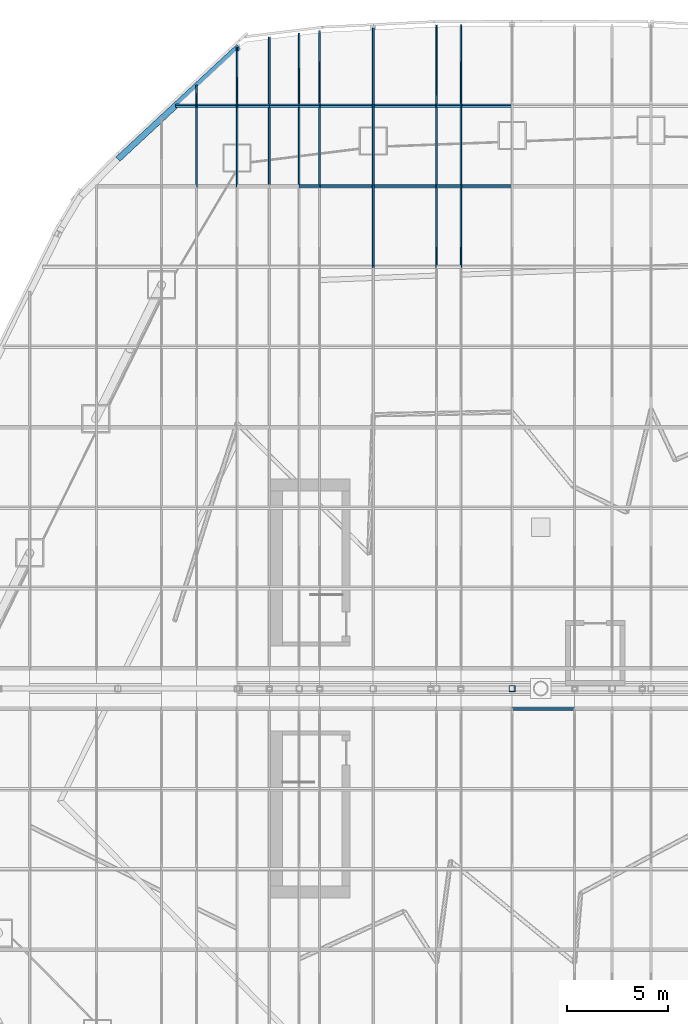
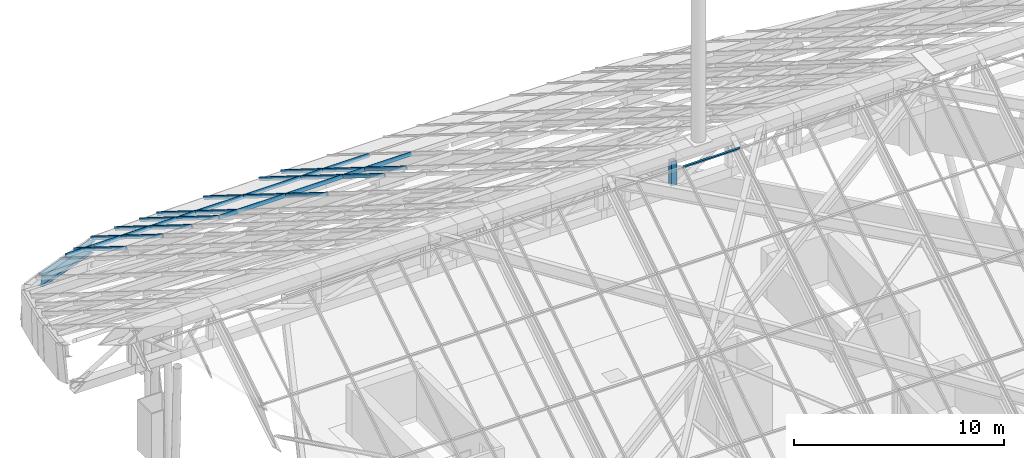
# One storey, part 16 of 38: 36 members, 23 elements without a shape of their own.
"""IFC4 building model written with IfcOpenShell, lengths in metres."""

from ifc_helpers import new_model, si_unit, direction, frame, origin, origin_2d, place, context, subcontext, project, spatial, rectangle, hollow_rectangle, i_section, extrude, material, layer, layer_set, material_profile, profile_set, type_object, element, aggregate, save


model = new_model("IFC4")

# Units and contexts
model_context = context("Model", 3, precision=1e-05, world=origin(), true_north=direction((0.0, 1.0)))
body_context = subcontext(model_context, "Body", "Model", "MODEL_VIEW")
ifc_project = project(units=[si_unit("LENGTHUNIT", "METRE"), si_unit("AREAUNIT", "SQUARE_METRE"), si_unit("VOLUMEUNIT", "CUBIC_METRE"), si_unit("PLANEANGLEUNIT", "RADIAN"), si_unit("MASSUNIT", "GRAM", prefix="KILO")], contexts=[model_context])

# Site, building, storey
site_placement = place(None, origin())
site = spatial("IfcSite", under=ifc_project, at=site_placement, CompositionType="ELEMENT")
building_placement = place(site_placement, origin())
building = spatial("IfcBuilding", under=site, at=building_placement, Name="Dongbaek Canopy Tower", CompositionType="ELEMENT")
storey_placement = place(building_placement, frame((0.0, 0.0, 375.800048828125)))
storey = spatial("IfcBuildingStorey", under=building, at=storey_placement, Name="Roof", CompositionType="ELEMENT", Elevation=375.800048828125)

# Curtain wall, member
ifc_material_1 = material(Name="Aluminium 6063-T6 pale anodised", Category="aluminium")
ifc_layer = layer(ifc_material_1, 0.199951171875)
ifc_layer_set = layer_set([ifc_layer], Name="CW-6 canopy glazing curtain wall")
curtain_wall_type = type_object("IfcCurtainWallType", Name="CW-6 canopy glazing curtain wall", PredefinedType="NOTDEFINED", material=ifc_layer_set)
curtain_wall_1_placement = place(storey_placement, origin())
curtain_wall_1 = element("IfcCurtainWall", 1, at=curtain_wall_1_placement, inside=storey, type_object=curtain_wall_type, Name="CW-6 canopy glazing north 7.7", PredefinedType="NOTDEFINED")
ifc_material_2 = material(Name="Aluminium 6063-T6 pale anodised", Category="aluminium")
ifc_material_profile_1 = material_profile(ifc_material_2, rectangle(XDim=0.080078125, YDim=0.199951171875, at=origin_2d()), Name="CW-6 mullion 80 x 200")
ifc_profile_set_1 = profile_set([ifc_material_profile_1], Name="Aluminium 6063-T6 pale anodised")
member_type_1 = type_object("IfcMemberType", Name="CW-6 mullion 80 x 200", PredefinedType="MULLION", material=ifc_profile_set_1)
member_1_placement = place(storey_placement, frame((-17.083984375, 24.917236328125, 3.153564453125), z_axis=(0.0, 0.848068327403, -0.529886886095), x_axis=(-1.0, 0.0, 0.0)))
member_1 = element("IfcMember", 2, at=member_1_placement, type_object=member_type_1, Name="CW-6 mullion N7.7.-17.1", PredefinedType="MULLION", context=body_context, shape_type="SweptSolid", body=[
    extrude(rectangle(XDim=0.080078125, YDim=0.199951171875, at=origin_2d()), origin(), (0.0, 0.0, 1.0), 4.700439453125),
])

curtain_wall_2_placement = place(storey_placement, origin())
curtain_wall_2 = element("IfcCurtainWall", 3, at=curtain_wall_2_placement, inside=storey, type_object=curtain_wall_type, Name="CW-6 canopy glazing north 7.8", PredefinedType="NOTDEFINED")
member_2_placement = place(storey_placement, frame((-17.083984375, 28.903564453125, 0.662841796875), z_axis=(0.0, 0.84798630689, -0.530018134903), x_axis=(-1.0, 0.0, 0.0)))
member_2 = element("IfcMember", 4, at=member_2_placement, type_object=member_type_1, Name="CW-6 mullion N7.8.-17.1", PredefinedType="MULLION", context=body_context, shape_type="SweptSolid", body=[
    extrude(rectangle(XDim=0.080078125, YDim=0.199951171875, at=origin_2d()), origin(), (0.0, 0.0, 1.0), 1.143310546875),
])
aggregate(curtain_wall_2, [member_2])

curtain_wall_3_placement = place(storey_placement, origin())
curtain_wall_3 = element("IfcCurtainWall", 5, at=curtain_wall_3_placement, inside=storey, type_object=curtain_wall_type, Name="CW-6 canopy glazing north 8.7", PredefinedType="NOTDEFINED")
member_3_placement = place(storey_placement, frame((-15.06201171875, 24.917236328125, 3.153564453125), z_axis=(0.0, 0.848068327403, -0.529886886095), x_axis=(-1.0, 0.0, 0.0)))
member_3 = element("IfcMember", 6, at=member_3_placement, type_object=member_type_1, Name="CW-6 mullion N8.7.-15.1", PredefinedType="MULLION", context=body_context, shape_type="SweptSolid", body=[
    extrude(rectangle(XDim=0.080078125, YDim=0.199951171875, at=origin_2d()), origin(), (0.0, 0.0, 1.0), 4.700439453125),
])

curtain_wall_4_placement = place(storey_placement, origin())
curtain_wall_4 = element("IfcCurtainWall", 7, at=curtain_wall_4_placement, inside=storey, type_object=curtain_wall_type, Name="CW-6 canopy glazing north 8.8", PredefinedType="NOTDEFINED")
member_4_placement = place(storey_placement, frame((-15.06201171875, 28.903564453125, 0.662841796875), z_axis=(0.0, 0.848018710085, -0.529966288877), x_axis=(-1.0, 0.0, 0.0)))
member_4 = element("IfcMember", 8, at=member_4_placement, type_object=member_type_1, Name="CW-6 mullion N8.8.-15.1", PredefinedType="MULLION", context=body_context, shape_type="SweptSolid", body=[
    extrude(rectangle(XDim=0.080078125, YDim=0.199951171875, at=origin_2d()), origin(), (0.0, 0.0, 1.0), 3.360595703125),
])
aggregate(curtain_wall_4, [member_4])

curtain_wall_5_placement = place(storey_placement, origin())
curtain_wall_5 = element("IfcCurtainWall", 9, at=curtain_wall_5_placement, inside=storey, type_object=curtain_wall_type, Name="CW-6 canopy glazing north 9.7", PredefinedType="NOTDEFINED")
member_5_placement = place(storey_placement, frame((-13.464599609375, 24.917236328125, 3.153564453125), z_axis=(0.0, 0.848068327403, -0.529886886095), x_axis=(-1.0, 0.0, 0.0)))
member_5 = element("IfcMember", 10, at=member_5_placement, type_object=member_type_1, Name="CW-6 mullion N9.7.-13.5", PredefinedType="MULLION", context=body_context, shape_type="SweptSolid", body=[
    extrude(rectangle(XDim=0.080078125, YDim=0.199951171875, at=origin_2d()), origin(), (0.0, 0.0, 1.0), 4.700439453125),
])

curtain_wall_6_placement = place(storey_placement, origin())
curtain_wall_6 = element("IfcCurtainWall", 11, at=curtain_wall_6_placement, inside=storey, type_object=curtain_wall_type, Name="CW-6 canopy glazing north 9.8", PredefinedType="NOTDEFINED")
member_6_placement = place(storey_placement, frame((-13.464599609375, 28.903564453125, 0.662841796875), z_axis=(0.0, 0.848036368747, -0.529938031549), x_axis=(-1.0, 0.0, 0.0)))
member_6 = element("IfcMember", 12, at=member_6_placement, type_object=member_type_1, Name="CW-6 mullion N9.8.-13.5", PredefinedType="MULLION", context=body_context, shape_type="SweptSolid", body=[
    extrude(rectangle(XDim=0.080078125, YDim=0.199951171875, at=origin_2d()), origin(), (0.0, 0.0, 1.0), 3.96337890625),
])
aggregate(curtain_wall_6, [member_6])

curtain_wall_7_placement = place(storey_placement, origin())
curtain_wall_7 = element("IfcCurtainWall", 13, at=curtain_wall_7_placement, inside=storey, type_object=curtain_wall_type, Name="CW-6 canopy glazing north 10.7", PredefinedType="NOTDEFINED")
member_7_placement = place(storey_placement, frame((-11.985107421875, 24.917236328125, 3.153564453125), z_axis=(0.0, 0.848068327403, -0.529886886095), x_axis=(-1.0, 0.0, 0.0)))
member_7 = element("IfcMember", 14, at=member_7_placement, type_object=member_type_1, Name="CW-6 mullion N10.7.-12.0", PredefinedType="MULLION", context=body_context, shape_type="SweptSolid", body=[
    extrude(rectangle(XDim=0.080078125, YDim=0.199951171875, at=origin_2d()), origin(), (0.0, 0.0, 1.0), 4.700439453125),
])

curtain_wall_8_placement = place(storey_placement, origin())
curtain_wall_8 = element("IfcCurtainWall", 15, at=curtain_wall_8_placement, inside=storey, type_object=curtain_wall_type, Name="CW-6 canopy glazing north 10.8", PredefinedType="NOTDEFINED")
member_8_placement = place(storey_placement, frame((-11.985107421875, 28.903564453125, 0.662841796875), z_axis=(0.0, 0.848037664843, -0.529935957458), x_axis=(-1.0, 0.0, 0.0)))
member_8 = element("IfcMember", 16, at=member_8_placement, type_object=member_type_1, Name="CW-6 mullion N10.8.-12.0", PredefinedType="MULLION", context=body_context, shape_type="SweptSolid", body=[
    extrude(rectangle(XDim=0.080078125, YDim=0.199951171875, at=origin_2d()), origin(), (0.0, 0.0, 1.0), 4.181396484375),
])
aggregate(curtain_wall_8, [member_8])

curtain_wall_9_placement = place(storey_placement, origin())
curtain_wall_9 = element("IfcCurtainWall", 17, at=curtain_wall_9_placement, inside=storey, type_object=curtain_wall_type, Name="CW-6 canopy glazing north 11.7", PredefinedType="NOTDEFINED")
member_9_placement = place(storey_placement, frame((-10.964599609375, 24.917236328125, 3.153564453125), z_axis=(0.0, 0.848068327403, -0.529886886095), x_axis=(-1.0, 0.0, 0.0)))
member_9 = element("IfcMember", 18, at=member_9_placement, type_object=member_type_1, Name="CW-6 mullion N11.7.-11.0", PredefinedType="MULLION", context=body_context, shape_type="SweptSolid", body=[
    extrude(rectangle(XDim=0.080078125, YDim=0.199951171875, at=origin_2d()), origin(), (0.0, 0.0, 1.0), 4.700439453125),
])

curtain_wall_10_placement = place(storey_placement, origin())
curtain_wall_10 = element("IfcCurtainWall", 19, at=curtain_wall_10_placement, inside=storey, type_object=curtain_wall_type, Name="CW-6 canopy glazing north 11.8", PredefinedType="NOTDEFINED")
member_10_placement = place(storey_placement, frame((-10.964599609375, 28.903564453125, 0.662841796875), z_axis=(0.0, 0.848026802453, -0.529953339758), x_axis=(-1.0, 0.0, 0.0)))
member_10 = element("IfcMember", 20, at=member_10_placement, type_object=member_type_1, Name="CW-6 mullion N11.8.-11.0", PredefinedType="MULLION", context=body_context, shape_type="SweptSolid", body=[
    extrude(rectangle(XDim=0.080078125, YDim=0.199951171875, at=origin_2d()), origin(), (0.0, 0.0, 1.0), 4.331298828125),
])
aggregate(curtain_wall_10, [member_10])

curtain_wall_11_placement = place(storey_placement, origin())
curtain_wall_11 = element("IfcCurtainWall", 21, at=curtain_wall_11_placement, inside=storey, type_object=curtain_wall_type, Name="CW-6 canopy glazing north 12.6", PredefinedType="NOTDEFINED")
member_11_placement = place(storey_placement, frame((-8.30908203125, 20.93115234375, 5.64453125), z_axis=(0.0, 0.848030400431, -0.529947582262), x_axis=(-1.0, 0.0, 0.0)))
member_11 = element("IfcMember", 22, at=member_11_placement, type_object=member_type_1, Name="CW-6 mullion N12.6.-8.3", PredefinedType="MULLION", context=body_context, shape_type="SweptSolid", body=[
    extrude(rectangle(XDim=0.080078125, YDim=0.199951171875, at=origin_2d()), origin(), (0.0, 0.0, 1.0), 4.700439453125),
])

curtain_wall_12_placement = place(storey_placement, origin())
curtain_wall_12 = element("IfcCurtainWall", 23, at=curtain_wall_12_placement, inside=storey, type_object=curtain_wall_type, Name="CW-6 canopy glazing north 12.7", PredefinedType="NOTDEFINED")
member_12_placement = place(storey_placement, frame((-8.30908203125, 24.917236328125, 3.153564453125), z_axis=(0.0, 0.848068327403, -0.529886886095), x_axis=(-1.0, 0.0, 0.0)))
member_12 = element("IfcMember", 24, at=member_12_placement, type_object=member_type_1, Name="CW-6 mullion N12.7.-8.3", PredefinedType="MULLION", context=body_context, shape_type="SweptSolid", body=[
    extrude(rectangle(XDim=0.080078125, YDim=0.199951171875, at=origin_2d()), origin(), (0.0, 0.0, 1.0), 4.700439453125),
])

curtain_wall_13_placement = place(storey_placement, origin())
curtain_wall_13 = element("IfcCurtainWall", 25, at=curtain_wall_13_placement, inside=storey, type_object=curtain_wall_type, Name="CW-6 canopy glazing north 12.8", PredefinedType="NOTDEFINED")
member_13_placement = place(storey_placement, frame((-8.30908203125, 28.903564453125, 0.662841796875), z_axis=(0.0, 0.848034884332, -0.529940406986), x_axis=(-1.0, 0.0, 0.0)))
member_13 = element("IfcMember", 26, at=member_13_placement, type_object=member_type_1, Name="CW-6 mullion N12.8.-8.3", PredefinedType="MULLION", context=body_context, shape_type="SweptSolid", body=[
    extrude(rectangle(XDim=0.080078125, YDim=0.199951171875, at=origin_2d()), origin(), (0.0, 0.0, 1.0), 4.4990234375),
])
aggregate(curtain_wall_13, [member_13])

curtain_wall_14_placement = place(storey_placement, origin())
curtain_wall_14 = element("IfcCurtainWall", 27, at=curtain_wall_14_placement, inside=storey, type_object=curtain_wall_type, Name="CW-6 canopy glazing north 13.6", PredefinedType="NOTDEFINED")
member_14_placement = place(storey_placement, frame((-5.166015625, 20.93115234375, 5.64453125), z_axis=(0.0, 0.848030400431, -0.529947582262), x_axis=(-1.0, 0.0, 0.0)))
member_14 = element("IfcMember", 28, at=member_14_placement, type_object=member_type_1, Name="CW-6 mullion N13.6.-5.2", PredefinedType="MULLION", context=body_context, shape_type="SweptSolid", body=[
    extrude(rectangle(XDim=0.080078125, YDim=0.199951171875, at=origin_2d()), origin(), (0.0, 0.0, 1.0), 4.700439453125),
])

curtain_wall_15_placement = place(storey_placement, origin())
curtain_wall_15 = element("IfcCurtainWall", 29, at=curtain_wall_15_placement, inside=storey, type_object=curtain_wall_type, Name="CW-6 canopy glazing north 13.7", PredefinedType="NOTDEFINED")
member_15_placement = place(storey_placement, frame((-5.166015625, 24.917236328125, 3.153564453125), z_axis=(0.0, 0.848068327403, -0.529886886095), x_axis=(-1.0, 0.0, 0.0)))
member_15 = element("IfcMember", 30, at=member_15_placement, type_object=member_type_1, Name="CW-6 mullion N13.7.-5.2", PredefinedType="MULLION", context=body_context, shape_type="SweptSolid", body=[
    extrude(rectangle(XDim=0.080078125, YDim=0.199951171875, at=origin_2d()), origin(), (0.0, 0.0, 1.0), 4.700439453125),
])

curtain_wall_16_placement = place(storey_placement, origin())
curtain_wall_16 = element("IfcCurtainWall", 31, at=curtain_wall_16_placement, inside=storey, type_object=curtain_wall_type, Name="CW-6 canopy glazing north 13.8", PredefinedType="NOTDEFINED")
member_16_placement = place(storey_placement, frame((-5.166015625, 28.903564453125, 0.662841796875), z_axis=(0.0, 0.848027649756, -0.529951983909), x_axis=(-1.0, 0.0, 0.0)))
member_16 = element("IfcMember", 32, at=member_16_placement, type_object=member_type_1, Name="CW-6 mullion N13.8.-5.2", PredefinedType="MULLION", context=body_context, shape_type="SweptSolid", body=[
    extrude(rectangle(XDim=0.080078125, YDim=0.199951171875, at=origin_2d()), origin(), (0.0, 0.0, 1.0), 4.673583984375),
])
aggregate(curtain_wall_16, [member_16])

curtain_wall_17_placement = place(storey_placement, origin())
curtain_wall_17 = element("IfcCurtainWall", 33, at=curtain_wall_17_placement, inside=storey, type_object=curtain_wall_type, Name="CW-6 canopy glazing north 14.6", PredefinedType="NOTDEFINED")
member_17_placement = place(storey_placement, frame((-3.964599609375, 20.93115234375, 5.64453125), z_axis=(0.0, 0.848030400431, -0.529947582262), x_axis=(-1.0, 0.0, 0.0)))
member_17 = element("IfcMember", 34, at=member_17_placement, type_object=member_type_1, Name="CW-6 mullion N14.6.-4.0", PredefinedType="MULLION", context=body_context, shape_type="SweptSolid", body=[
    extrude(rectangle(XDim=0.080078125, YDim=0.199951171875, at=origin_2d()), origin(), (0.0, 0.0, 1.0), 4.700439453125),
])

curtain_wall_18_placement = place(storey_placement, origin())
curtain_wall_18 = element("IfcCurtainWall", 35, at=curtain_wall_18_placement, inside=storey, type_object=curtain_wall_type, Name="CW-6 canopy glazing north 14.7", PredefinedType="NOTDEFINED")
member_18_placement = place(storey_placement, frame((-3.964599609375, 24.917236328125, 3.153564453125), z_axis=(0.0, 0.848068327403, -0.529886886095), x_axis=(-1.0, 0.0, 0.0)))
member_18 = element("IfcMember", 36, at=member_18_placement, type_object=member_type_1, Name="CW-6 mullion N14.7.-4.0", PredefinedType="MULLION", context=body_context, shape_type="SweptSolid", body=[
    extrude(rectangle(XDim=0.080078125, YDim=0.199951171875, at=origin_2d()), origin(), (0.0, 0.0, 1.0), 4.700439453125),
])

curtain_wall_19_placement = place(storey_placement, origin())
curtain_wall_19 = element("IfcCurtainWall", 37, at=curtain_wall_19_placement, inside=storey, type_object=curtain_wall_type, Name="CW-6 canopy glazing north 14.8", PredefinedType="NOTDEFINED")
member_19_placement = place(storey_placement, frame((-3.964599609375, 28.903564453125, 0.662841796875), z_axis=(0.0, 0.84802174888, -0.529961426358), x_axis=(-1.0, 0.0, 0.0)))
member_19 = element("IfcMember", 38, at=member_19_placement, type_object=member_type_1, Name="CW-6 mullion N14.8.-4.0", PredefinedType="MULLION", context=body_context, shape_type="SweptSolid", body=[
    extrude(rectangle(XDim=0.080078125, YDim=0.199951171875, at=origin_2d()), origin(), (0.0, 0.0, 1.0), 4.679931640625),
])
aggregate(curtain_wall_19, [member_19])

# Member
ifc_material_3 = material(Name="Aluminium 6063-T6 pale anodised", Category="aluminium")
ifc_material_profile_2 = material_profile(ifc_material_3, rectangle(XDim=0.080078125, YDim=0.199951171875, at=origin_2d()), Name="CW-6 transom 80 x 200")
ifc_profile_set_2 = profile_set([ifc_material_profile_2], Name="Aluminium 6063-T6 pale anodised")
member_type_2 = type_object("IfcMemberType", Name="CW-6 transom 80 x 200", PredefinedType="USERDEFINED", material=ifc_profile_set_2)
member_20_placement = place(storey_placement, frame((-18.12646484375, 28.903564453125, 0.662841796875), z_axis=(1.0, 0.0, 0.0), x_axis=(0.0, 0.848048096156, -0.529919264233)))
member_20 = element("IfcMember", 39, at=member_20_placement, type_object=member_type_2, Name="CW-6 transom N7.7.8", ObjectType="TRANSOM", PredefinedType="USERDEFINED", context=body_context, shape_type="SweptSolid", body=[
    extrude(rectangle(XDim=0.080078125, YDim=0.199951171875, at=origin_2d()), origin(), (0.0, 0.0, 1.0), 1.04248046875),
])

aggregate(curtain_wall_1, [member_1, member_20])

member_21_placement = place(storey_placement, frame((-17.083984375, 28.903564453125, 0.662841796875), z_axis=(1.0, 0.0, 0.0), x_axis=(0.0, 0.848048096156, -0.529919264233)))
member_21 = element("IfcMember", 40, at=member_21_placement, type_object=member_type_2, Name="CW-6 transom N8.7.8", ObjectType="TRANSOM", PredefinedType="USERDEFINED", context=body_context, shape_type="SweptSolid", body=[
    extrude(rectangle(XDim=0.080078125, YDim=0.199951171875, at=origin_2d()), origin(), (0.0, 0.0, 1.0), 2.02197265625),
])

aggregate(curtain_wall_3, [member_3, member_21])

member_22_placement = place(storey_placement, frame((-15.06201171875, 28.903564453125, 0.662841796875), z_axis=(1.0, 0.0, 0.0), x_axis=(0.0, 0.848048096156, -0.529919264233)))
member_22 = element("IfcMember", 41, at=member_22_placement, type_object=member_type_2, Name="CW-6 transom N9.7.8", ObjectType="TRANSOM", PredefinedType="USERDEFINED", context=body_context, shape_type="SweptSolid", body=[
    extrude(rectangle(XDim=0.080078125, YDim=0.199951171875, at=origin_2d()), origin(), (0.0, 0.0, 1.0), 1.597412109375),
])

aggregate(curtain_wall_5, [member_5, member_22])

member_23_placement = place(storey_placement, frame((-13.464599609375, 28.903564453125, 0.662841796875), z_axis=(1.0, 0.0, 0.0), x_axis=(0.0, 0.848048096156, -0.529919264233)))
member_23 = element("IfcMember", 42, at=member_23_placement, type_object=member_type_2, Name="CW-6 transom N10.7.8", ObjectType="TRANSOM", PredefinedType="USERDEFINED", context=body_context, shape_type="SweptSolid", body=[
    extrude(rectangle(XDim=0.080078125, YDim=0.199951171875, at=origin_2d()), origin(), (0.0, 0.0, 1.0), 1.4794921875),
])

aggregate(curtain_wall_7, [member_7, member_23])

# Curtain wall, member
curtain_wall_20_placement = place(storey_placement, origin())
curtain_wall_20 = element("IfcCurtainWall", 43, at=curtain_wall_20_placement, inside=storey, type_object=curtain_wall_type, Name="CW-6 canopy glazing north 11.6", PredefinedType="NOTDEFINED")
member_24_placement = place(storey_placement, frame((-11.985107421875, 24.917236328125, 3.153564453125), z_axis=(1.0, 0.0, 0.0), x_axis=(0.0, 0.848048096156, -0.529919264233)))
member_24 = element("IfcMember", 44, at=member_24_placement, type_object=member_type_2, Name="CW-6 transom N11.6.7", ObjectType="TRANSOM", PredefinedType="USERDEFINED", context=body_context, shape_type="SweptSolid", body=[
    extrude(rectangle(XDim=0.080078125, YDim=0.199951171875, at=origin_2d()), origin(), (0.0, 0.0, 1.0), 1.0205078125),
])
aggregate(curtain_wall_20, [member_24])

# Member
member_25_placement = place(storey_placement, frame((-11.985107421875, 28.903564453125, 0.662841796875), z_axis=(1.0, 0.0, 0.0), x_axis=(0.0, 0.848048096156, -0.529919264233)))
member_25 = element("IfcMember", 45, at=member_25_placement, type_object=member_type_2, Name="CW-6 transom N11.7.8", ObjectType="TRANSOM", PredefinedType="USERDEFINED", context=body_context, shape_type="SweptSolid", body=[
    extrude(rectangle(XDim=0.080078125, YDim=0.199951171875, at=origin_2d()), origin(), (0.0, 0.0, 1.0), 1.0205078125),
])

aggregate(curtain_wall_9, [member_9, member_25])

member_26_placement = place(storey_placement, frame((-10.964599609375, 24.917236328125, 3.153564453125), z_axis=(1.0, 0.0, 0.0), x_axis=(0.0, 0.848048096156, -0.529919264233)))
member_26 = element("IfcMember", 46, at=member_26_placement, type_object=member_type_2, Name="CW-6 transom N12.6.7", ObjectType="TRANSOM", PredefinedType="USERDEFINED", context=body_context, shape_type="SweptSolid", body=[
    extrude(rectangle(XDim=0.080078125, YDim=0.199951171875, at=origin_2d()), origin(), (0.0, 0.0, 1.0), 2.655517578125),
])

aggregate(curtain_wall_11, [member_11, member_26])

member_27_placement = place(storey_placement, frame((-10.964599609375, 28.903564453125, 0.662841796875), z_axis=(1.0, 0.0, 0.0), x_axis=(0.0, 0.848048096156, -0.529919264233)))
member_27 = element("IfcMember", 47, at=member_27_placement, type_object=member_type_2, Name="CW-6 transom N12.7.8", ObjectType="TRANSOM", PredefinedType="USERDEFINED", context=body_context, shape_type="SweptSolid", body=[
    extrude(rectangle(XDim=0.080078125, YDim=0.199951171875, at=origin_2d()), origin(), (0.0, 0.0, 1.0), 2.655517578125),
])

aggregate(curtain_wall_12, [member_12, member_27])

member_28_placement = place(storey_placement, frame((-8.30908203125, 24.917236328125, 3.153564453125), z_axis=(1.0, 0.0, 0.0), x_axis=(0.0, 0.848048096156, -0.529919264233)))
member_28 = element("IfcMember", 48, at=member_28_placement, type_object=member_type_2, Name="CW-6 transom N13.6.7", ObjectType="TRANSOM", PredefinedType="USERDEFINED", context=body_context, shape_type="SweptSolid", body=[
    extrude(rectangle(XDim=0.080078125, YDim=0.199951171875, at=origin_2d()), origin(), (0.0, 0.0, 1.0), 3.14306640625),
])

aggregate(curtain_wall_14, [member_14, member_28])

member_29_placement = place(storey_placement, frame((-8.30908203125, 28.903564453125, 0.662841796875), z_axis=(1.0, 0.0, 0.0), x_axis=(0.0, 0.848048096156, -0.529919264233)))
member_29 = element("IfcMember", 49, at=member_29_placement, type_object=member_type_2, Name="CW-6 transom N13.7.8", ObjectType="TRANSOM", PredefinedType="USERDEFINED", context=body_context, shape_type="SweptSolid", body=[
    extrude(rectangle(XDim=0.080078125, YDim=0.199951171875, at=origin_2d()), origin(), (0.0, 0.0, 1.0), 3.14306640625),
])

aggregate(curtain_wall_15, [member_15, member_29])

member_30_placement = place(storey_placement, frame((-5.166015625, 24.917236328125, 3.153564453125), z_axis=(1.0, 0.0, 0.0), x_axis=(0.0, 0.848048096156, -0.529919264233)))
member_30 = element("IfcMember", 50, at=member_30_placement, type_object=member_type_2, Name="CW-6 transom N14.6.7", ObjectType="TRANSOM", PredefinedType="USERDEFINED", context=body_context, shape_type="SweptSolid", body=[
    extrude(rectangle(XDim=0.080078125, YDim=0.199951171875, at=origin_2d()), origin(), (0.0, 0.0, 1.0), 1.201416015625),
])

aggregate(curtain_wall_17, [member_17, member_30])

member_31_placement = place(storey_placement, frame((-5.166015625, 28.903564453125, 0.662841796875), z_axis=(1.0, 0.0, 0.0), x_axis=(0.0, 0.848048096156, -0.529919264233)))
member_31 = element("IfcMember", 51, at=member_31_placement, type_object=member_type_2, Name="CW-6 transom N14.7.8", ObjectType="TRANSOM", PredefinedType="USERDEFINED", context=body_context, shape_type="SweptSolid", body=[
    extrude(rectangle(XDim=0.080078125, YDim=0.199951171875, at=origin_2d()), origin(), (0.0, 0.0, 1.0), 1.201416015625),
])

aggregate(curtain_wall_18, [member_18, member_31])

# Curtain wall, member
curtain_wall_21_placement = place(storey_placement, origin())
curtain_wall_21 = element("IfcCurtainWall", 52, at=curtain_wall_21_placement, inside=storey, type_object=curtain_wall_type, Name="CW-6 canopy glazing north 15.6", PredefinedType="NOTDEFINED")
member_32_placement = place(storey_placement, frame((-3.964599609375, 24.917236328125, 3.153564453125), z_axis=(1.0, 0.0, 0.0), x_axis=(0.0, 0.848048096156, -0.529919264233)))
member_32 = element("IfcMember", 53, at=member_32_placement, type_object=member_type_2, Name="CW-6 transom N15.6.7", ObjectType="TRANSOM", PredefinedType="USERDEFINED", context=body_context, shape_type="SweptSolid", body=[
    extrude(rectangle(XDim=0.080078125, YDim=0.199951171875, at=origin_2d()), origin(), (0.0, 0.0, 1.0), 2.546630859375),
])
aggregate(curtain_wall_21, [member_32])

curtain_wall_22_placement = place(storey_placement, origin())
curtain_wall_22 = element("IfcCurtainWall", 54, at=curtain_wall_22_placement, inside=storey, type_object=curtain_wall_type, Name="CW-6 canopy glazing north 15.7", PredefinedType="NOTDEFINED")
member_33_placement = place(storey_placement, frame((-3.964599609375, 28.903564453125, 0.662841796875), z_axis=(1.0, 0.0, 0.0), x_axis=(0.0, 0.848048096156, -0.529919264233)))
member_33 = element("IfcMember", 55, at=member_33_placement, type_object=member_type_2, Name="CW-6 transom N15.7.8", ObjectType="TRANSOM", PredefinedType="USERDEFINED", context=body_context, shape_type="SweptSolid", body=[
    extrude(rectangle(XDim=0.080078125, YDim=0.199951171875, at=origin_2d()), origin(), (0.0, 0.0, 1.0), 2.546630859375),
])
aggregate(curtain_wall_22, [member_33])

curtain_wall_23_placement = place(storey_placement, origin())
curtain_wall_23 = element("IfcCurtainWall", 56, at=curtain_wall_23_placement, inside=storey, type_object=curtain_wall_type, Name="CW-6 canopy glazing south 16.1", PredefinedType="NOTDEFINED")
member_34_placement = place(storey_placement, frame((-1.41796875, -1.0, 18.0986328125), z_axis=(1.0, 0.0, 0.0), x_axis=(0.0, 0.848048096156, 0.529919264233)))
member_34 = element("IfcMember", 57, at=member_34_placement, type_object=member_type_2, Name="CW-6 transom S16.1.1", ObjectType="TRANSOM", PredefinedType="USERDEFINED", context=body_context, shape_type="SweptSolid", body=[
    extrude(rectangle(XDim=0.080078125, YDim=0.199951171875, at=origin_2d()), origin(), (0.0, 0.0, 1.0), 3.10107421875),
])
aggregate(curtain_wall_23, [member_34])

# Members
ifc_material_4 = material(Name="Steel S355", Category="steel")
ifc_material_profile_3 = material_profile(ifc_material_4, i_section(OverallWidth=0.300048828125, OverallDepth=0.587890625, WebThickness=0.011962890625, FlangeThickness=0.02001953125, FilletRadius=0.028076171875, at=origin_2d()), Name="EAVES BEAM H 588x300x12x20 Steel S355")
ifc_profile_set_3 = profile_set([ifc_material_profile_3], Name="Steel S355")
member_type_3 = type_object("IfcMemberType", Name="EAVES BEAM H 588x300x12x20 Steel S355", PredefinedType="MEMBER", material=ifc_profile_set_3)
member_35_placement = place(storey_placement, frame((-15.06201171875, 31.75341796875, -1.590087890625), z_axis=(-0.673810298402, -0.626615864504, 0.391576608238), x_axis=(0.680996491946, -0.732286677441, 0.0)))
element("IfcMember", 58, at=member_35_placement, inside=storey, type_object=member_type_3, Name="EAVE:52", PredefinedType="MEMBER", context=body_context, shape_type="SweptSolid", body=[
    extrude(i_section(OverallWidth=0.300048828125, OverallDepth=0.587890625, WebThickness=0.011962890625, FlangeThickness=0.02001953125, FilletRadius=0.028076171875, at=origin_2d()), origin(), (0.0, 0.0, 1.0), 8.897705078125),
])
ifc_material_5 = material(Name="Steel S355", Category="steel")
ifc_material_profile_4 = material_profile(ifc_material_5, hollow_rectangle(XDim=0.300048828125, YDim=0.300048828125, WallThickness=0.011962890625, at=origin_2d()), Name="RIDGE POST SHS 300x300x12 Steel S355")
ifc_profile_set_4 = profile_set([ifc_material_profile_4], Name="Steel S355")
member_type_4 = type_object("IfcMemberType", Name="RIDGE POST SHS 300x300x12 Steel S355", PredefinedType="POST", material=ifc_profile_set_4)
member_36_placement = place(storey_placement, frame((-1.41796875, 0.0, 16.501708984375), z_axis=(0.0, 0.0, 1.0), x_axis=(1.0, 0.0, 0.0)))
element("IfcMember", 59, at=member_36_placement, inside=storey, type_object=member_type_4, Name="RIDGEPOST:14", PredefinedType="POST", context=body_context, shape_type="SweptSolid", body=[
    extrude(hollow_rectangle(XDim=0.300048828125, YDim=0.300048828125, WallThickness=0.011962890625, at=origin_2d()), origin(), (0.0, 0.0, 1.0), 1.400146484375),
])

save(model, "model.ifc")
